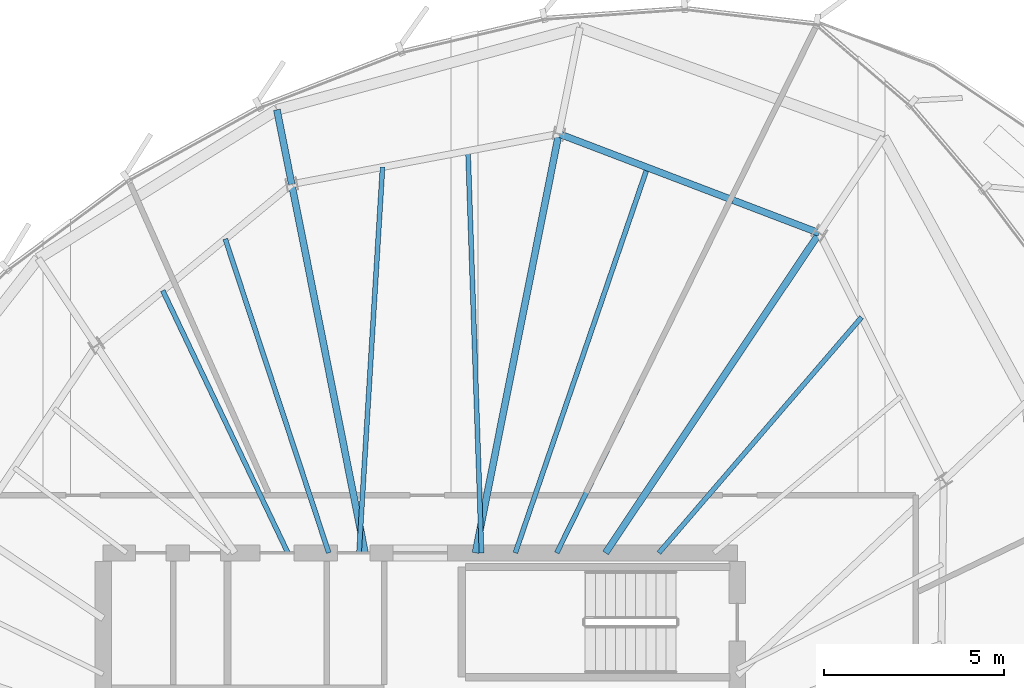
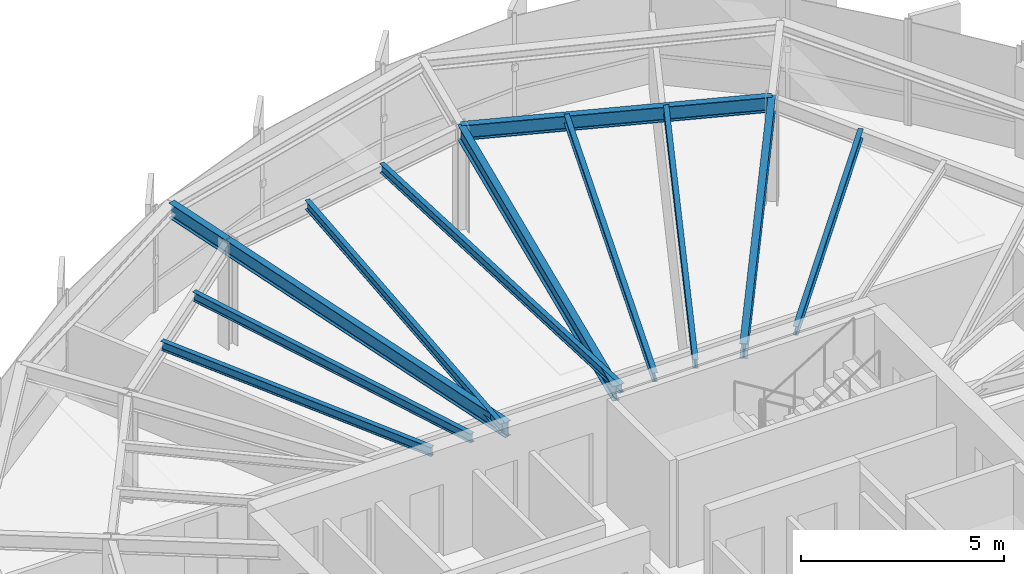
# One storey, part 21 of 34: 12 beams.
"""IFC4 building model written with IfcOpenShell, lengths in metres."""

import ifcopenshell
import ifcopenshell.guid

model = None  # the IFC model being written
_history = None  # IfcOwnerHistory: only IFC2X3 demands one
_inside = {}  # id of a spatial element -> (the spatial element, [elements in it])
_under = {}  # id of a project, library or spatial element -> (it, [spatial elements below it])
_declared = {}  # id of a project -> (the project, [libraries it declares])
_typed = {}  # id of a type object -> (the type object, [elements of that type])
_made_of = {}  # id of a material, layer set ... -> (it, [elements and type objects made of it])


def new_model(schema):
    """Start an empty IFC model of exactly this schema.

    Asked for "IFC4X3", IfcOpenShell would pick the latest addendum, in which some entities
    have other attributes; the version numbers below select the first issue.
    IFC2X3 requires an IfcOwnerHistory on every rooted entity: one is made here for all.
    """
    global model, _history
    if schema == "IFC4X3":
        model = ifcopenshell.file(schema_version=(4, 3, 0, 0))
    else:
        model = ifcopenshell.file(schema=schema)
    _inside.clear()
    _under.clear()
    _declared.clear()
    _typed.clear()
    _made_of.clear()
    _history = None
    if model.schema == "IFC2X3":
        org = make("IfcOrganization", Name="unknown")
        user = make(
            "IfcPersonAndOrganization",
            ThePerson=make("IfcPerson", FamilyName="unknown"),
            TheOrganization=org,
        )
        app = make(
            "IfcApplication",
            ApplicationDeveloper=org,
            Version="unknown",
            ApplicationFullName="unknown",
            ApplicationIdentifier="unknown",
        )
        _history = make(
            "IfcOwnerHistory",
            OwningUser=user,
            OwningApplication=app,
            ChangeAction="ADDED",
            CreationDate=0,
        )
    return model


def make(cls, **values):
    """One entity of the class cls with the attributes given. An attribute that is None is left unset."""
    return model.create_entity(
        cls, **{name: value for name, value in values.items() if value is not None}
    )


def rooted(cls, **values):
    """An entity with a GlobalId (a new one), such as an element, a storey or a relation."""
    return make(cls, GlobalId=ifcopenshell.guid.new(), OwnerHistory=_history, **values)


def si_unit(unit_type, name, prefix=None):
    """IfcSIUnit, for example si_unit("LENGTHUNIT", "METRE", prefix="MILLI")."""
    return make("IfcSIUnit", UnitType=unit_type, Prefix=prefix, Name=name)


def assignment(units):
    """IfcUnitAssignment: the units of a project."""
    return None if units is None else make("IfcUnitAssignment", Units=units)


def point(xyz):
    """IfcCartesianPoint."""
    return None if xyz is None else make("IfcCartesianPoint", Coordinates=xyz)


def direction(xyz):
    """IfcDirection."""
    return None if xyz is None else make("IfcDirection", DirectionRatios=xyz)


def frame(location, z_axis=None, x_axis=None):
    """IfcAxis2Placement3D, a coordinate frame: its origin and axes. An axis left out is left unset."""
    return make(
        "IfcAxis2Placement3D",
        Location=point(location),
        Axis=direction(z_axis),
        RefDirection=direction(x_axis),
    )


def frame_2d(location, x_axis=None):
    """IfcAxis2Placement2D, a coordinate frame in the plane: its origin and x axis."""
    return make(
        "IfcAxis2Placement2D", Location=point(location), RefDirection=direction(x_axis)
    )


def origin():
    """The frame at (0, 0, 0) with its axes left unset."""
    return frame((0.0, 0.0, 0.0))


def origin_2d():
    """The frame at (0, 0) in the plane with its x axis left unset."""
    return frame_2d((0.0, 0.0))


def place(relative_to, where):
    """IfcLocalPlacement: puts the frame where relative to a parent placement (None: the world)."""
    return make(
        "IfcLocalPlacement", PlacementRelTo=relative_to, RelativePlacement=where
    )


def context(
    kind, dimensions, precision=None, world=None, true_north=None, identifier=None
):
    """IfcGeometricRepresentationContext, for example the 3D "Model" context."""
    return make(
        "IfcGeometricRepresentationContext",
        ContextIdentifier=identifier,
        ContextType=kind,
        CoordinateSpaceDimension=dimensions,
        Precision=precision,
        WorldCoordinateSystem=world,
        TrueNorth=true_north,
    )


def subcontext(parent, identifier, kind, view, scale=None):
    """IfcGeometricRepresentationSubContext, for example "Body" below "Model"."""
    return make(
        "IfcGeometricRepresentationSubContext",
        ContextIdentifier=identifier,
        ContextType=kind,
        ParentContext=parent,
        TargetScale=scale,
        TargetView=view,
    )


def project(units=None, contexts=None):
    """IfcProject with its units and contexts."""
    return rooted(
        "IfcProject",
        Name="project",
        RepresentationContexts=contexts,
        UnitsInContext=assignment(units),
    )


def spatial(cls, under=None, at=None, **own):
    """A site, building, storey or space (cls), placed at a placement, below another one or the project."""
    s = rooted(cls, ObjectPlacement=at, **own)
    if under is not None:
        _under.setdefault(under.id(), (under, []))[1].append(s)
    return s


def profile(cls, at=None, kind="AREA", **sizes):
    """A parametric profile (cls). Its sizes go by their IFC names, for example OverallWidth=200.0."""
    return make(cls, ProfileType=kind, Position=at, **sizes)


def i_section(**sizes):
    """IfcIShapeProfileDef."""
    return profile("IfcIShapeProfileDef", **sizes)


def extrude(swept, where, along, depth):
    """IfcExtrudedAreaSolid: the profile swept, set in the frame where, extruded along a direction by depth."""
    return make(
        "IfcExtrudedAreaSolid",
        SweptArea=swept,
        Position=where,
        ExtrudedDirection=direction(along),
        Depth=depth,
    )


def shape(context_of_items, identifier, shape_type, items):
    """IfcShapeRepresentation: the items that make up one representation, for example the "Body"."""
    return make(
        "IfcShapeRepresentation",
        ContextOfItems=context_of_items,
        RepresentationIdentifier=identifier,
        RepresentationType=shape_type,
        Items=items,
    )


def source(mapping_origin, context_of_items, identifier, shape_type, items):
    """IfcRepresentationMap: a shape defined once, which mapped items show again and again."""
    return make(
        "IfcRepresentationMap",
        MappingOrigin=mapping_origin,
        MappedRepresentation=shape(context_of_items, identifier, shape_type, items),
    )


def transform(
    local_origin,
    x_axis=None,
    y_axis=None,
    z_axis=None,
    scale=None,
    scale2=None,
    scale3=None,
    uniform=True,
):
    """IfcCartesianTransformationOperator3D, or its non-uniform kind. x_axis, y_axis, z_axis: its Axis1, 2, 3."""
    if uniform:
        return make(
            "IfcCartesianTransformationOperator3D",
            Axis1=direction(x_axis),
            Axis2=direction(y_axis),
            LocalOrigin=point(local_origin),
            Scale=scale,
            Axis3=direction(z_axis),
        )
    return make(
        "IfcCartesianTransformationOperator3DnonUniform",
        Axis1=direction(x_axis),
        Axis2=direction(y_axis),
        LocalOrigin=point(local_origin),
        Scale=scale,
        Axis3=direction(z_axis),
        Scale2=scale2,
        Scale3=scale3,
    )


def mapped(mapping_source, mapping_target):
    """IfcMappedItem: shows the shape of a source again, moved by a transform."""
    return make(
        "IfcMappedItem", MappingSource=mapping_source, MappingTarget=mapping_target
    )


def material(Name=None, Category=None):
    """IfcMaterial."""
    return make("IfcMaterial", Name=Name, Category=Category)


def material_profile(
    of_material, cross_section, Name=None, Category=None, Priority=None
):
    """IfcMaterialProfile: a cross section and its material."""
    return make(
        "IfcMaterialProfile",
        Name=Name,
        Material=of_material,
        Profile=cross_section,
        Priority=Priority,
        Category=Category,
    )


def profile_set(profiles, Name=None, composite=None):
    """IfcMaterialProfileSet."""
    return make(
        "IfcMaterialProfileSet",
        Name=Name,
        MaterialProfiles=profiles,
        CompositeProfile=composite,
    )


def made_of(thing, what):
    """Note that an element or type object is made of a material, layer set ...; save() writes the relation."""
    if what is not None:
        _made_of.setdefault(what.id(), (what, []))[1].append(thing)
    return thing


def type_object(cls, material=None, **own):
    """A type object (cls), such as IfcWallType, which elements share."""
    return made_of(rooted(cls, **own), material)


def element(
    cls,
    number,
    at=None,
    inside=None,
    cuts=None,
    type_object=None,
    material=None,
    context=None,
    identifier="Body",
    shape_type=None,
    held_by="IfcProductDefinitionShape",
    body=None,
    shapes=None,
    **own,
):
    """One element of the class cls, such as IfcWall. Its Tag is "e" and its number.

    at: its placement. inside: the storey or other place that contains it. cuts: it is an
    opening in that element (IfcRelVoidsElement). A single representation is given by context,
    identifier, shape_type and body (its items); several are given by shapes. held_by: the class
    of the entity that holds the representations. save() writes the other relations.
    """
    e = rooted(cls, Tag="e%d" % number, ObjectPlacement=at, **own)
    if body is not None:
        shapes = [shape(context, identifier, shape_type, body)]
    if shapes is not None:
        e.Representation = make(held_by, Representations=shapes)
    if inside is not None:
        _inside.setdefault(inside.id(), (inside, []))[1].append(e)
    if cuts is not None:
        rooted(
            "IfcRelVoidsElement", RelatingBuildingElement=cuts, RelatedOpeningElement=e
        )
    if type_object is not None:
        _typed.setdefault(type_object.id(), (type_object, []))[1].append(e)
    return made_of(e, material)


def aggregate(whole, parts):
    """IfcRelAggregates: a whole, such as a stair, and the parts it consists of."""
    return rooted("IfcRelAggregates", RelatingObject=whole, RelatedObjects=parts)


def save(model, path):
    """Write the relations noted so far, then the file.

    IfcRelAggregates (storeys below a building ...), IfcRelContainedInSpatialStructure (elements
    in a storey), IfcRelDefinesByType, IfcRelAssociatesMaterial and IfcRelDeclares: one each for
    every whole, place, type object, material and project.
    """
    for whole, parts in _under.values():
        aggregate(whole, parts)
    for where, things in _inside.values():
        rooted(
            "IfcRelContainedInSpatialStructure",
            RelatedElements=things,
            RelatingStructure=where,
        )
    for kind, things in _typed.values():
        rooted("IfcRelDefinesByType", RelatedObjects=things, RelatingType=kind)
    for what, things in _made_of.values():
        rooted("IfcRelAssociatesMaterial", RelatedObjects=things, RelatingMaterial=what)
    for by, libraries in _declared.values():
        rooted("IfcRelDeclares", RelatingContext=by, RelatedDefinitions=libraries)
    model.write(path)


model = new_model("IFC4")

# Units and contexts
model_context = context("Model", 3, precision=1e-05, world=origin(), true_north=direction((0.0, 1.0)))
body_context = subcontext(model_context, "Body", "Model", "MODEL_VIEW")
ifc_project = project(units=[si_unit("LENGTHUNIT", "METRE"), si_unit("AREAUNIT", "SQUARE_METRE"), si_unit("VOLUMEUNIT", "CUBIC_METRE"), si_unit("PLANEANGLEUNIT", "RADIAN"), si_unit("MASSUNIT", "GRAM", prefix="KILO"), si_unit("THERMODYNAMICTEMPERATUREUNIT", "KELVIN")], contexts=[model_context])

# Site, building, storey
site_placement = place(None, origin())
site = spatial("IfcSite", under=ifc_project, at=site_placement, CompositionType="ELEMENT")
building_placement = place(site_placement, origin())
building = spatial("IfcBuilding", under=site, at=building_placement, Name="Kethvar Cultural Tower", CompositionType="ELEMENT")
storey_placement = place(building_placement, frame((0.0, 0.0, 231.85009765625)))
storey = spatial("IfcBuildingStorey", under=building, at=storey_placement, Name="L60", CompositionType="ELEMENT", Elevation=231.85009765625)

# Beams
ifc_material = material(Name="Steel S355J2", Category="steel")
ifc_material_profile_1 = material_profile(ifc_material, i_section(OverallWidth=0.18994140625, OverallDepth=0.449951171875, WebThickness=0.009521484375, FlangeThickness=0.0146484375, FilletRadius=0.02099609375, at=origin_2d()), Name="Steel S355J2 — IPE450")
ifc_profile_set_1 = profile_set([ifc_material_profile_1], Name="Steel S355J2 — IPE450")
beam_type_1 = type_object("IfcBeamType", Name="BM-IPE450", PredefinedType="BEAM", material=ifc_profile_set_1)
shared_shape_1 = source(origin(), body_context, "Body", "SweptSolid", [
    extrude(i_section(OverallWidth=0.18994140625, OverallDepth=0.449951171875, WebThickness=0.009521484375, FlangeThickness=0.0146484375, FilletRadius=0.02099609375, at=origin_2d()), origin(), (0.0, 0.0, 1.0), 10.673828125),
])
beam_1_placement = place(storey_placement, frame((51.945068359375, 35.5, 2.98291015625), z_axis=(0.555576086183, 0.831465701314, 0.0), x_axis=(-0.831465701314, 0.555576086183, 0.0)))
element("IfcBeam", 1, at=beam_1_placement, inside=storey, type_object=beam_type_1, Name="L60 Primary Radial Beam RB-03", PredefinedType="BEAM", context=body_context, shape_type="MappedRepresentation", body=[
    mapped(shared_shape_1, transform((0.0, 0.0, 0.0), scale=1.0)),
])
shared_shape_2 = source(origin(), body_context, "Body", "SweptSolid", [
    extrude(i_section(OverallWidth=0.18994140625, OverallDepth=0.449951171875, WebThickness=0.009521484375, FlangeThickness=0.0146484375, FilletRadius=0.02099609375, at=origin_2d()), origin(), (0.0, 0.0, 1.0), 11.859375),
])
beam_2_placement = place(storey_placement, frame((48.33154296875, 35.5, 2.98291015625), z_axis=(0.195094640585, 0.980784421377, 0.0), x_axis=(-0.980784421377, 0.195094640585, 0.0)))
element("IfcBeam", 2, at=beam_2_placement, inside=storey, type_object=beam_type_1, Name="L60 Primary Radial Beam RB-04", PredefinedType="BEAM", context=body_context, shape_type="MappedRepresentation", body=[
    mapped(shared_shape_2, transform((0.0, 0.0, 0.0), scale=1.0)),
])
shared_shape_3 = source(origin(), body_context, "Body", "SweptSolid", [
    extrude(i_section(OverallWidth=0.18994140625, OverallDepth=0.449951171875, WebThickness=0.009521484375, FlangeThickness=0.0146484375, FilletRadius=0.02099609375, at=origin_2d()), origin(), (0.0, 0.0, 1.0), 10.432861328125),
])
beam_3_placement = place(storey_placement, frame((45.268310546875, 35.5, 2.98291015625), z_axis=(-0.195094483249, 0.980784452673, 0.0), x_axis=(-0.980784452673, -0.195094483249, 0.0)))
element("IfcBeam", 3, at=beam_3_placement, inside=storey, type_object=beam_type_1, Name="L60 Primary Radial Beam RB-05", PredefinedType="BEAM", context=body_context, shape_type="MappedRepresentation", body=[
    mapped(shared_shape_3, transform((0.0, 0.0, 0.0), scale=1.0)),
])
ifc_material_profile_2 = material_profile(ifc_material, i_section(OverallWidth=0.135009765625, OverallDepth=0.27001953125, WebThickness=0.006591796875, FlangeThickness=0.01025390625, FilletRadius=0.014892578125, at=origin_2d()), Name="Steel S355J2 — IPE270")
ifc_profile_set_2 = profile_set([ifc_material_profile_2], Name="Steel S355J2 — IPE270")
beam_type_2 = type_object("IfcBeamType", Name="BM-J270", PredefinedType="JOIST", material=ifc_profile_set_2)
shared_shape_4 = source(origin(), body_context, "Body", "SweptSolid", [
    extrude(i_section(OverallWidth=0.135009765625, OverallDepth=0.27001953125, WebThickness=0.006591796875, FlangeThickness=0.01025390625, FilletRadius=0.014892578125, at=origin_2d()), origin(), (0.0, 0.0, 1.0), 8.6259765625),
])
beam_4_placement = place(storey_placement, frame((53.42333984375, 35.5, 3.072998046875), z_axis=(0.65210499689, 0.758128665222, 0.0), x_axis=(-0.758128665222, 0.65210499689, 0.0)))
element("IfcBeam", 4, at=beam_4_placement, inside=storey, type_object=beam_type_2, Name="L60 Composite Floor Joist J-02B", PredefinedType="JOIST", context=body_context, shape_type="MappedRepresentation", body=[
    mapped(shared_shape_4, transform((0.0, 0.0, 0.0), scale=1.0)),
])
shared_shape_5 = source(origin(), body_context, "Body", "SweptSolid", [
    extrude(i_section(OverallWidth=0.18994140625, OverallDepth=0.449951171875, WebThickness=0.009521484375, FlangeThickness=0.0146484375, FilletRadius=0.02099609375, at=origin_2d()), origin(), (0.0, 0.0, 1.0), 7.737548828125),
])
beam_5_placement = place(storey_placement, frame((57.875244140625, 44.375, 2.98291015625), z_axis=(-0.934388230776, 0.356256416347, 0.0), x_axis=(-0.356256416347, -0.934388230776, 0.0)))
element("IfcBeam", 5, at=beam_5_placement, inside=storey, type_object=beam_type_1, Name="L60 Column Ring Tie Beam CR-03", PredefinedType="BEAM", context=body_context, shape_type="MappedRepresentation", body=[
    mapped(shared_shape_5, transform((0.0, 0.0, 0.0), scale=1.0)),
])
shared_shape_6 = source(origin(), body_context, "Body", "SweptSolid", [
    extrude(i_section(OverallWidth=0.135009765625, OverallDepth=0.27001953125, WebThickness=0.006591796875, FlangeThickness=0.01025390625, FilletRadius=0.014892578125, at=origin_2d()), origin(), (0.0, 0.0, 1.0), 10.935791015625),
])
beam_6_placement = place(storey_placement, frame((50.5888671875, 35.5, 3.072998046875), z_axis=(0.441498236677, 0.897262117227, 0.0), x_axis=(-0.897262117227, 0.441498236677, 0.0)))
element("IfcBeam", 6, at=beam_6_placement, inside=storey, type_object=beam_type_2, Name="L60 Composite Floor Joist J-03A", PredefinedType="JOIST", context=body_context, shape_type="MappedRepresentation", body=[
    mapped(shared_shape_6, transform((0.0, 0.0, 0.0), scale=1.0)),
])
shared_shape_7 = source(origin(), body_context, "Body", "SweptSolid", [
    extrude(i_section(OverallWidth=0.135009765625, OverallDepth=0.27001953125, WebThickness=0.006591796875, FlangeThickness=0.01025390625, FilletRadius=0.014892578125, at=origin_2d()), origin(), (0.0, 0.0, 1.0), 11.304931640625),
])
beam_7_placement = place(storey_placement, frame((49.438720703125, 35.5, 3.072998046875), z_axis=(0.324179110764, 0.945995720997, 0.0), x_axis=(-0.945995720997, 0.324179110764, 0.0)))
element("IfcBeam", 7, at=beam_7_placement, inside=storey, type_object=beam_type_2, Name="L60 Composite Floor Joist J-03B", PredefinedType="JOIST", context=body_context, shape_type="MappedRepresentation", body=[
    mapped(shared_shape_7, transform((0.0, 0.0, 0.0), scale=1.0)),
])
shared_shape_8 = source(origin(), body_context, "Body", "SweptSolid", [
    extrude(i_section(OverallWidth=0.135009765625, OverallDepth=0.27001953125, WebThickness=0.006591796875, FlangeThickness=0.01025390625, FilletRadius=0.014892578125, at=origin_2d()), origin(), (0.0, 0.0, 1.0), 11.162109375),
])
beam_8_placement = place(storey_placement, frame((48.5, 35.5, 3.072998046875), z_axis=(-0.0335959409, 0.999435497046, 0.0), x_axis=(-0.999435497046, -0.0335959409, 0.0)))
element("IfcBeam", 8, at=beam_8_placement, inside=storey, type_object=beam_type_2, Name="L60 Composite Floor Joist J-04A", PredefinedType="JOIST", context=body_context, shape_type="MappedRepresentation", body=[
    mapped(shared_shape_8, transform((0.0, 0.0, 0.0), scale=1.0)),
])
shared_shape_9 = source(origin(), body_context, "Body", "SweptSolid", [
    extrude(i_section(OverallWidth=0.135009765625, OverallDepth=0.27001953125, WebThickness=0.006591796875, FlangeThickness=0.01025390625, FilletRadius=0.014892578125, at=origin_2d()), origin(), (0.0, 0.0, 1.0), 10.727783203125),
])
beam_9_placement = place(storey_placement, frame((45.10009765625, 35.5, 3.072998046875), z_axis=(0.060876395586, 0.998145312297, 0.0), x_axis=(-0.998145312297, 0.060876395586, 0.0)))
element("IfcBeam", 9, at=beam_9_placement, inside=storey, type_object=beam_type_2, Name="L60 Composite Floor Joist J-04B", PredefinedType="JOIST", context=body_context, shape_type="MappedRepresentation", body=[
    mapped(shared_shape_9, transform((0.0, 0.0, 0.0), scale=1.0)),
])
shared_shape_10 = source(origin(), body_context, "Body", "SweptSolid", [
    extrude(i_section(OverallWidth=0.135009765625, OverallDepth=0.27001953125, WebThickness=0.006591796875, FlangeThickness=0.01025390625, FilletRadius=0.014892578125, at=origin_2d()), origin(), (0.0, 0.0, 1.0), 9.17138671875),
])
beam_10_placement = place(storey_placement, frame((44.260986328125, 35.5, 3.072998046875), z_axis=(-0.313151555446, 0.949703165901, 0.0), x_axis=(-0.949703165901, -0.313151555446, 0.0)))
element("IfcBeam", 10, at=beam_10_placement, inside=storey, type_object=beam_type_2, Name="L60 Composite Floor Joist J-05A", PredefinedType="JOIST", context=body_context, shape_type="MappedRepresentation", body=[
    mapped(shared_shape_10, transform((0.0, 0.0, 0.0), scale=1.0)),
])
shared_shape_11 = source(origin(), body_context, "Body", "SweptSolid", [
    extrude(i_section(OverallWidth=0.135009765625, OverallDepth=0.27001953125, WebThickness=0.006591796875, FlangeThickness=0.01025390625, FilletRadius=0.014892578125, at=origin_2d()), origin(), (0.0, 0.0, 1.0), 8.063232421875),
])
beam_11_placement = place(storey_placement, frame((43.1259765625, 35.5, 3.072998046875), z_axis=(-0.430642151588, 0.902522762746, 0.0), x_axis=(-0.902522762746, -0.430642151588, 0.0)))
element("IfcBeam", 11, at=beam_11_placement, inside=storey, type_object=beam_type_2, Name="L60 Composite Floor Joist J-05B", PredefinedType="JOIST", context=body_context, shape_type="MappedRepresentation", body=[
    mapped(shared_shape_11, transform((0.0, 0.0, 0.0), scale=1.0)),
])
shared_shape_12 = source(origin(), body_context, "Body", "SweptSolid", [
    extrude(i_section(OverallWidth=0.18994140625, OverallDepth=0.449951171875, WebThickness=0.009521484375, FlangeThickness=0.0146484375, FilletRadius=0.02099609375, at=origin_2d()), origin(), (0.0, 0.0, 1.0), 2.105224609375),
])
beam_12_placement = place(storey_placement, frame((43.23291015625, 45.732421875, 2.98291015625), z_axis=(-0.195067799066, 0.980789760228, 0.0), x_axis=(-0.980789760228, -0.195067799066, 0.0)))
element("IfcBeam", 12, at=beam_12_placement, inside=storey, type_object=beam_type_1, Name="L60 Perimeter Cantilever Beam RC-05", PredefinedType="BEAM", context=body_context, shape_type="MappedRepresentation", body=[
    mapped(shared_shape_12, transform((0.0, 0.0, 0.0), scale=1.0)),
])

save(model, "model.ifc")
